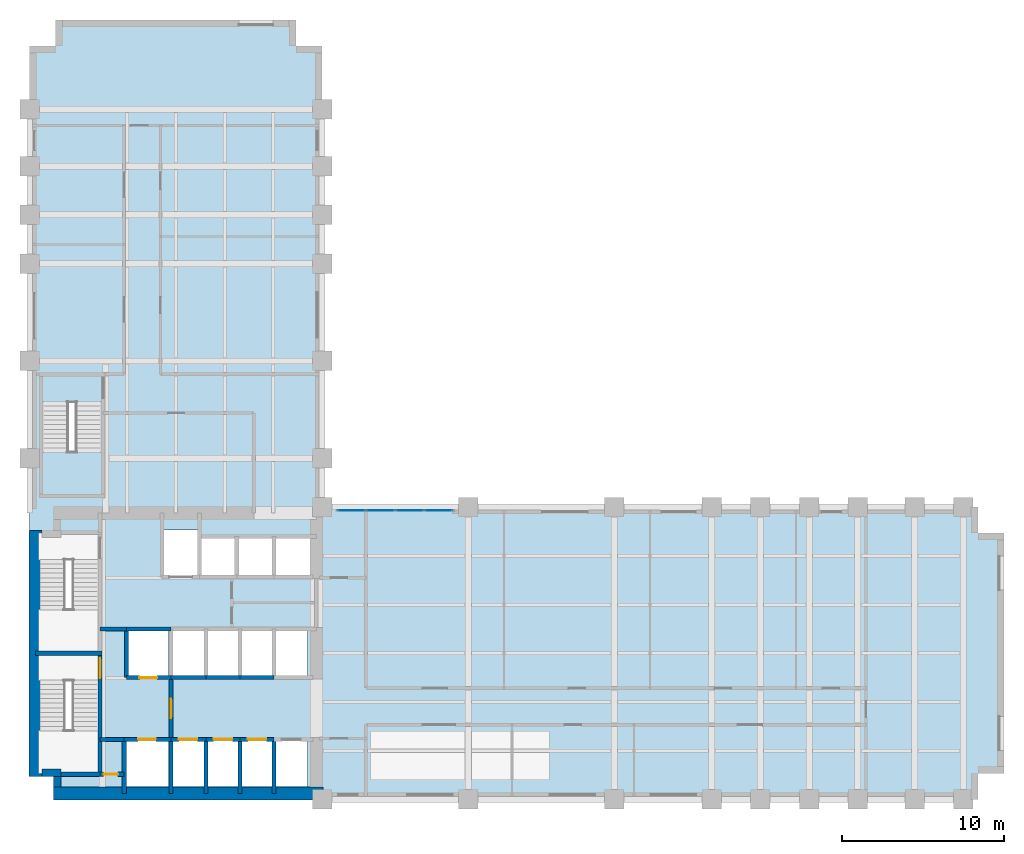
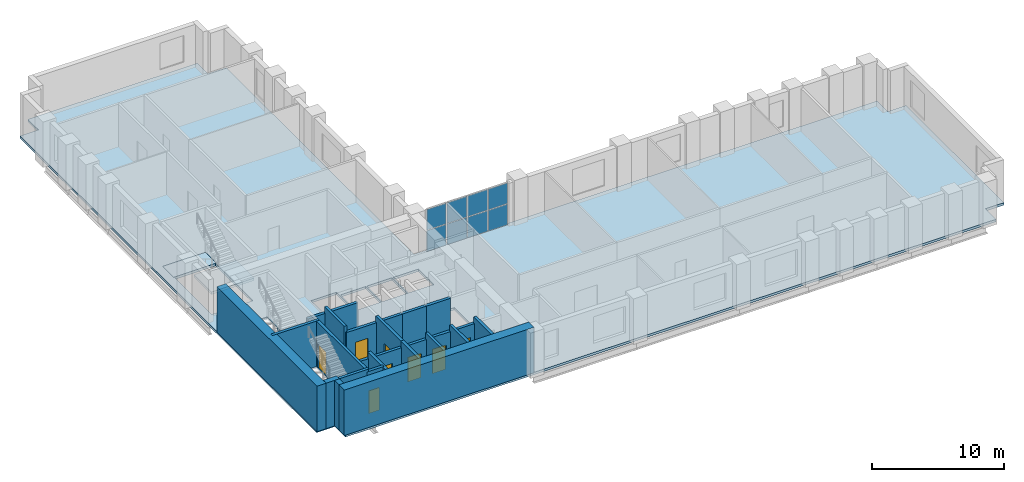
# One storey, part 4 of 8: 26 walls, 8 doors, 8 plates, 3 slabs, 8 openings, 2 elements without a shape of their own.
"""IFC4 building model written with IfcOpenShell, lengths in metres."""

from ifc_helpers import new_model, si_unit, direction, frame, frame_2d, origin, origin_2d, place, context, subcontext, project, spatial, polyline, rectangle, outline, extrude, material, layer, layer_set, type_object, element, fill, aggregate, save


model = new_model("IFC4")

# Units and contexts
model_context = context("Model", 3, precision=1e-05, world=origin(), true_north=direction((0.0, 1.0)))
body_context = subcontext(model_context, "Body", "Model", "MODEL_VIEW")
ifc_project = project(units=[si_unit("LENGTHUNIT", "METRE"), si_unit("AREAUNIT", "SQUARE_METRE"), si_unit("VOLUMEUNIT", "CUBIC_METRE"), si_unit("PLANEANGLEUNIT", "RADIAN"), si_unit("MASSUNIT", "GRAM", prefix="KILO")], contexts=[model_context])

# Site, building, storey
site_placement = place(None, origin())
site = spatial("IfcSite", under=ifc_project, at=site_placement, CompositionType="ELEMENT")
building_placement = place(site_placement, origin())
building = spatial("IfcBuilding", under=site, at=building_placement, Name="Mawjdan Bourse Tower", CompositionType="ELEMENT")
storey_placement = place(building_placement, frame((0.0, 0.0, 76.199951171875)))
storey = spatial("IfcBuildingStorey", under=building, at=storey_placement, Name="L17", CompositionType="ELEMENT", Elevation=76.199951171875)

# Curtain wall, plates
ifc_material_1 = material(Name="Thermally Broken Aluminium and Solar Glass", Category="aluminium")
ifc_layer_1 = layer(ifc_material_1, 0.219970703125)
ifc_layer_set_1 = layer_set([ifc_layer_1], Name="Thermally Broken Aluminium and Solar Glass")
curtain_wall_type = type_object("IfcCurtainWallType", Name="CW-ATR", PredefinedType="USERDEFINED", material=ifc_layer_set_1)
curtain_wall_placement = place(storey_placement, origin())
curtain_wall = element("IfcCurtainWall", 1, at=curtain_wall_placement, inside=storey, type_object=curtain_wall_type, Name="L17 Northeast Atrium Court Curtain Wall", ObjectType="ATRIUM GLAZED CURTAIN WALL", PredefinedType="USERDEFINED")
ifc_material_2 = material(Name="Low-SHGC Clear Atrium Glass", Category="glass")
ifc_layer_2 = layer(ifc_material_2, 0.035888671875)
ifc_layer_set_2 = layer_set([ifc_layer_2], Name="Low-SHGC Clear Atrium Glass")
plate_type = type_object("IfcPlateType", Name="PNL-CW-ATR", PredefinedType="CURTAIN_PANEL", material=ifc_layer_set_2)
plate_1_placement = place(storey_placement, frame((31.1826171875, 20.7900390625, 0.06005859375), z_axis=(0.0, 0.0, 1.0), x_axis=(-1.0, 0.0, 0.0)))
plate_1 = element("IfcPlate", 2, at=plate_1_placement, type_object=plate_type, Name="CW-ATR-L17-ATR-NE panel 1.1", PredefinedType="CURTAIN_PANEL", context=body_context, shape_type="SweptSolid", body=[
    extrude(rectangle(XDim=1.695068359375, YDim=0.035888671875, at=origin_2d()), origin(), (0.0, 0.0, 1.0), 1.89990234375),
])
plate_2_placement = place(storey_placement, frame((31.1826171875, 20.7900390625, 2.02001953125), z_axis=(0.0, 0.0, 1.0), x_axis=(-1.0, 0.0, 0.0)))
plate_2 = element("IfcPlate", 3, at=plate_2_placement, type_object=plate_type, Name="CW-ATR-L17-ATR-NE panel 1.2", PredefinedType="CURTAIN_PANEL", context=body_context, shape_type="SweptSolid", body=[
    extrude(rectangle(XDim=1.695068359375, YDim=0.035888671875, at=origin_2d()), origin(), (0.0, 0.0, 1.0), 1.89990234375),
])
plate_3_placement = place(storey_placement, frame((29.39990234375, 20.7900390625, 0.06005859375), z_axis=(0.0, 0.0, 1.0), x_axis=(-1.0, 0.0, 0.0)))
plate_3 = element("IfcPlate", 4, at=plate_3_placement, type_object=plate_type, Name="CW-ATR-L17-ATR-NE panel 2.1", PredefinedType="CURTAIN_PANEL", context=body_context, shape_type="SweptSolid", body=[
    extrude(rectangle(XDim=1.72998046875, YDim=0.035888671875, at=origin_2d()), origin(), (0.0, 0.0, 1.0), 1.89990234375),
])
plate_4_placement = place(storey_placement, frame((29.39990234375, 20.7900390625, 2.02001953125), z_axis=(0.0, 0.0, 1.0), x_axis=(-1.0, 0.0, 0.0)))
plate_4 = element("IfcPlate", 5, at=plate_4_placement, type_object=plate_type, Name="CW-ATR-L17-ATR-NE panel 2.2", PredefinedType="CURTAIN_PANEL", context=body_context, shape_type="SweptSolid", body=[
    extrude(rectangle(XDim=1.72998046875, YDim=0.035888671875, at=origin_2d()), origin(), (0.0, 0.0, 1.0), 1.89990234375),
])
plate_5_placement = place(storey_placement, frame((27.60009765625, 20.7900390625, 0.06005859375), z_axis=(0.0, 0.0, 1.0), x_axis=(-1.0, 0.0, 0.0)))
plate_5 = element("IfcPlate", 6, at=plate_5_placement, type_object=plate_type, Name="CW-ATR-L17-ATR-NE panel 3.1", PredefinedType="CURTAIN_PANEL", context=body_context, shape_type="SweptSolid", body=[
    extrude(rectangle(XDim=1.72998046875, YDim=0.035888671875, at=origin_2d()), origin(), (0.0, 0.0, 1.0), 1.89990234375),
])
plate_6_placement = place(storey_placement, frame((27.60009765625, 20.7900390625, 2.02001953125), z_axis=(0.0, 0.0, 1.0), x_axis=(-1.0, 0.0, 0.0)))
plate_6 = element("IfcPlate", 7, at=plate_6_placement, type_object=plate_type, Name="CW-ATR-L17-ATR-NE panel 3.2", PredefinedType="CURTAIN_PANEL", context=body_context, shape_type="SweptSolid", body=[
    extrude(rectangle(XDim=1.72998046875, YDim=0.035888671875, at=origin_2d()), origin(), (0.0, 0.0, 1.0), 1.89990234375),
])
plate_7_placement = place(storey_placement, frame((25.8173828125, 20.7900390625, 0.06005859375), z_axis=(0.0, 0.0, 1.0), x_axis=(-1.0, 0.0, 0.0)))
plate_7 = element("IfcPlate", 8, at=plate_7_placement, type_object=plate_type, Name="CW-ATR-L17-ATR-NE panel 4.1", PredefinedType="CURTAIN_PANEL", context=body_context, shape_type="SweptSolid", body=[
    extrude(rectangle(XDim=1.695068359375, YDim=0.035888671875, at=origin_2d()), origin(), (0.0, 0.0, 1.0), 1.89990234375),
])
plate_8_placement = place(storey_placement, frame((25.8173828125, 20.7900390625, 2.02001953125), z_axis=(0.0, 0.0, 1.0), x_axis=(-1.0, 0.0, 0.0)))
plate_8 = element("IfcPlate", 9, at=plate_8_placement, type_object=plate_type, Name="CW-ATR-L17-ATR-NE panel 4.2", PredefinedType="CURTAIN_PANEL", context=body_context, shape_type="SweptSolid", body=[
    extrude(rectangle(XDim=1.695068359375, YDim=0.035888671875, at=origin_2d()), origin(), (0.0, 0.0, 1.0), 1.89990234375),
])
aggregate(curtain_wall, [plate_1, plate_2, plate_3, plate_4, plate_5, plate_6, plate_7, plate_8])

# Stair, slabs
ifc_material_3 = material(Name="Concrete C50/60", Category="concrete")
stair_type = type_object("IfcStairType", Name="STR-CORE-1500", PredefinedType="HALF_TURN_STAIR", material=ifc_material_3)
stair_placement = place(storey_placement, origin())
stair = element("IfcStair", 10, at=stair_placement, inside=storey, type_object=stair_type, Name="L17 Exit Stair 3 (North Wing)", PredefinedType="HALF_TURN_STAIR")
ifc_layer_3 = layer(ifc_material_3, 0.22998046875)
ifc_layer_set_3 = layer_set([ifc_layer_3], Name="Concrete C50/60")
slab_type_1 = type_object("IfcSlabType", Name="SL-LND-230", PredefinedType="LANDING", material=ifc_layer_set_3)
slab_1_placement = place(storey_placement, frame((0.0, 0.0, -0.22998046875)))
slab_1 = element("IfcSlab", 11, at=slab_1_placement, type_object=slab_type_1, Name="ST3-L17 landing 1", PredefinedType="LANDING", context=body_context, shape_type="SweptSolid", body=[
    extrude(outline(polyline([(6.739990234375, 27.4599609375), (10.4599609375, 27.4599609375), (10.4599609375, 29.1201171875), (6.739990234375, 29.1201171875), (6.739990234375, 27.4599609375)])), origin(), (0.0, 0.0, 1.0), 0.22998046875),
])
slab_2_placement = place(storey_placement, frame((0.0, 0.0, 1.8701171875)))
slab_2 = element("IfcSlab", 12, at=slab_2_placement, type_object=slab_type_1, Name="ST3-L17 landing 2", PredefinedType="LANDING", context=body_context, shape_type="SweptSolid", body=[
    extrude(outline(polyline([(6.739990234375, 21.739990234375), (10.4599609375, 21.739990234375), (10.4599609375, 24.405029296875), (6.739990234375, 24.405029296875), (6.739990234375, 21.739990234375)])), origin(), (0.0, 0.0, 1.0), 0.22998046875),
])
aggregate(stair, [slab_1, slab_2])

# Slab
ifc_layer_4 = layer(ifc_material_3, 0.219970703125)
ifc_layer_set_4 = layer_set([ifc_layer_4], Name="Concrete C50/60")
slab_type_2 = type_object("IfcSlabType", Name="SL-TRD-220", PredefinedType="FLOOR", material=ifc_layer_set_4)
slab_3_placement = place(storey_placement, frame((0.0, 0.0, -0.219970703125)))
element("IfcSlab", 13, at=slab_3_placement, inside=storey, type_object=slab_type_2, Name="L17 Structural Floor Slab 1", PredefinedType="FLOOR", context=body_context, shape_type="SweptSolid", body=[
    extrude(outline(polyline([(7.60009765625, 3.0), (64.39990234375, 3.0), (64.39990234375, 4.60009765625), (66.0, 4.60009765625), (66.0, 19.39990234375), (64.39990234375, 19.39990234375), (64.39990234375, 21.0), (24.0, 21.0), (24.0, 49.39990234375), (22.39990234375, 49.39990234375), (22.39990234375, 51.0), (7.60009765625, 51.0), (7.60009765625, 49.39990234375), (6.0, 49.39990234375), (6.0, 4.60009765625), (7.60009765625, 4.60009765625), (7.60009765625, 3.0)]), holes=[polyline([(11.949951171875, 3.800048828125), (11.949951171875, 6.60009765625), (14.550048828125, 6.60009765625), (14.550048828125, 3.800048828125), (11.949951171875, 3.800048828125)]), polyline([(14.800048828125, 3.800048828125), (14.800048828125, 6.60009765625), (16.800048828125, 6.60009765625), (16.800048828125, 3.800048828125), (14.800048828125, 3.800048828125)]), polyline([(10.260009765625, 11.969970703125), (10.260009765625, 10.31005859375), (10.199951171875, 10.31005859375), (10.199951171875, 4.64990234375), (6.60009765625, 4.64990234375), (6.60009765625, 10.31005859375), (6.5400390625, 10.31005859375), (6.5400390625, 11.969970703125), (10.260009765625, 11.969970703125)]), polyline([(12.050048828125, 13.39990234375), (14.550048828125, 13.39990234375), (14.550048828125, 10.60009765625), (12.050048828125, 10.60009765625), (12.050048828125, 13.39990234375)]), polyline([(6.60009765625, 17.75), (6.5400390625, 17.75), (6.5400390625, 19.409912109375), (10.260009765625, 19.409912109375), (10.260009765625, 17.75), (10.199951171875, 17.75), (10.199951171875, 12.090087890625), (6.60009765625, 12.090087890625), (6.60009765625, 17.75)]), polyline([(14.199951171875, 16.800048828125), (14.199951171875, 19.60009765625), (16.39990234375, 19.60009765625), (16.39990234375, 16.800048828125), (14.199951171875, 16.800048828125)]), polyline([(10.4599609375, 27.4599609375), (10.39990234375, 27.4599609375), (10.39990234375, 21.800048828125), (6.800048828125, 21.800048828125), (6.800048828125, 27.4599609375), (6.739990234375, 27.4599609375), (6.739990234375, 29.1201171875), (10.4599609375, 29.1201171875), (10.4599609375, 27.4599609375)]), polyline([(16.89990234375, 3.800048828125), (16.89990234375, 6.60009765625), (18.89990234375, 6.60009765625), (18.89990234375, 3.800048828125), (16.89990234375, 3.800048828125)]), polyline([(19.0, 3.800048828125), (19.0, 6.60009765625), (21.0, 6.60009765625), (21.0, 3.800048828125), (19.0, 3.800048828125)]), polyline([(21.10009765625, 3.800048828125), (21.10009765625, 6.60009765625), (23.10009765625, 6.60009765625), (23.10009765625, 3.800048828125), (21.10009765625, 3.800048828125)]), polyline([(14.800048828125, 13.39990234375), (16.800048828125, 13.39990234375), (16.800048828125, 10.60009765625), (14.800048828125, 10.60009765625), (14.800048828125, 13.39990234375)]), polyline([(16.89990234375, 13.39990234375), (18.89990234375, 13.39990234375), (18.89990234375, 10.60009765625), (16.89990234375, 10.60009765625), (16.89990234375, 13.39990234375)]), polyline([(19.0, 10.60009765625), (19.0, 13.39990234375), (21.0, 13.39990234375), (21.0, 10.60009765625), (19.0, 10.60009765625)]), polyline([(21.10009765625, 10.60009765625), (21.10009765625, 13.39990234375), (23.10009765625, 13.39990234375), (23.10009765625, 10.60009765625), (21.10009765625, 10.60009765625)]), polyline([(16.5, 16.800048828125), (16.5, 19.14990234375), (18.699951171875, 19.14990234375), (18.699951171875, 16.800048828125), (16.5, 16.800048828125)]), polyline([(18.800048828125, 19.14990234375), (21.0, 19.14990234375), (21.0, 16.800048828125), (18.800048828125, 16.800048828125), (18.800048828125, 19.14990234375)]), polyline([(21.10009765625, 19.14990234375), (23.300048828125, 19.14990234375), (23.300048828125, 16.800048828125), (21.10009765625, 16.800048828125), (21.10009765625, 19.14990234375)])]), origin(), (0.0, 0.0, 1.0), 0.219970703125),
])

# Walls
ifc_material_4 = material(Name="Concrete C60/75", Category="concrete")
ifc_layer_5 = layer(ifc_material_4, 0.449951171875)
ifc_layer_set_5 = layer_set([ifc_layer_5], Name="Concrete C60/75")
wall_type_1 = type_object("IfcWallType", Name="WL-CORE-450", PredefinedType="SHEAR", material=ifc_layer_set_5)
wall_1_placement = place(storey_placement, frame((6.75, 4.64990234375, 0.0), z_axis=(0.0, 0.0, 1.0), x_axis=(1.0, 0.0, 0.0)))
element("IfcWall", 14, at=wall_1_placement, inside=storey, type_object=wall_type_1, Name="L17 Rear Core Shear Wall SW-X", PredefinedType="SHEAR", context=body_context, shape_type="SweptSolid", body=[
    extrude(rectangle(XDim=1.175048828125, YDim=0.449951171875, at=frame_2d((0.58740234375, 0.0))), origin(), (0.0, 0.0, 1.0), 4.199951171875),
])
wall_2_placement = place(storey_placement, frame((7.699951171875, 3.75, 0.0), z_axis=(0.0, 0.0, 1.0), x_axis=(0.0, 1.0, 0.0)))
element("IfcWall", 15, at=wall_2_placement, inside=storey, type_object=wall_type_1, Name="L17 Rear Core Shear Wall SW-Y", PredefinedType="SHEAR", context=body_context, shape_type="SweptSolid", body=[
    extrude(rectangle(XDim=0.675048828125, YDim=0.449951171875, at=frame_2d((0.33740234375, 0.0))), origin(), (0.0, 0.0, 1.0), 4.199951171875),
])
ifc_material_5 = material(Name="Concrete C80/95", Category="concrete")
ifc_layer_6 = layer(ifc_material_5, 0.800048828125)
ifc_layer_set_6 = layer_set([ifc_layer_6], Name="Concrete C80/95")
wall_type_2 = type_object("IfcWallType", Name="WL-CORE-800", PredefinedType="SHEAR", material=ifc_layer_set_6)
wall_3_placement = place(storey_placement, frame((7.47509765625, 3.35009765625, 0.0), z_axis=(0.0, 0.0, 1.0), x_axis=(1.0, 0.0, 0.0)))
element("IfcWall", 16, at=wall_3_placement, inside=storey, type_object=wall_type_2, Name="L17 Rear Core Shear Wall S", PredefinedType="SHEAR", context=body_context, shape_type="SweptSolid", body=[
    extrude(rectangle(XDim=16.574951171875, YDim=0.800048828125, at=frame_2d((8.28759765625, 0.0))), origin(), (0.0, 0.0, 1.0), 4.199951171875),
])
wall_4_placement = place(storey_placement, frame((6.35009765625, 4.425048828125, 0.0), z_axis=(0.0, 0.0, 1.0), x_axis=(0.0, 1.0, 0.0)))
element("IfcWall", 17, at=wall_4_placement, inside=storey, type_object=wall_type_2, Name="L17 Rear Core Shear Wall W", PredefinedType="SHEAR", context=body_context, shape_type="SweptSolid", body=[
    extrude(rectangle(XDim=15.14990234375, YDim=0.800048828125, at=frame_2d((7.574951171875, 0.0))), origin(), (0.0, 0.0, 1.0), 4.199951171875),
])

# Wall, opening, door
ifc_layer_7 = layer(ifc_material_3, 0.25)
ifc_layer_set_7 = layer_set([ifc_layer_7], Name="Concrete C50/60")
wall_type_3 = type_object("IfcWallType", Name="WL-SHFT-250", PredefinedType="PARTITIONING", material=ifc_layer_set_7)
wall_5_placement = place(storey_placement, frame((10.330078125, 4.550048828125, 0.0), z_axis=(0.0, 0.0, 1.0), x_axis=(1.0, 0.0, 0.0)))
wall_5 = element("IfcWall", 18, at=wall_5_placement, inside=storey, type_object=wall_type_3, Name="L17 SW Riser North Wall", PredefinedType="PARTITIONING", context=body_context, shape_type="SweptSolid", body=[
    extrude(rectangle(XDim=1.489990234375, YDim=0.25, at=frame_2d((0.7451171875, 0.0))), origin(), (0.0, 0.0, 1.0), 3.969970703125),
])
opening_1_placement = place(wall_5_placement, frame((0.219970703125, 0.0, 0.0)))
opening_1 = element("IfcOpeningElement", 19, at=opening_1_placement, cuts=wall_5, Name="Opening RD-L17-03", PredefinedType="OPENING", context=body_context, shape_type="SweptSolid", body=[
    extrude(rectangle(XDim=0.89990234375, YDim=2.10009765625, at=frame_2d((0.449951171875, 1.050048828125))), frame((0.0, 0.135009765625, 0.0), z_axis=(0.0, -1.0, 0.0), x_axis=(1.0, 0.0, 0.0)), (0.0, 0.0, 1.0), 0.27001953125),
])
ifc_material_6 = material(Name="Fire-Rated Steel Access Leaf", Category="steel")
door_type_1 = type_object("IfcDoorType", Name="FD-RSR-0900", OperationType="NOTDEFINED", PredefinedType="TRAPDOOR", material=ifc_material_6)
door_1_placement = place(opening_1_placement, origin())
door_1 = element("IfcDoor", 20, at=door_1_placement, inside=storey, type_object=door_type_1, Name="L17 Electrical Riser Access Door RD-L17-03", OperationType="SINGLE_SWING_RIGHT", OverallHeight=2.10009765625, OverallWidth=0.89990234375, PredefinedType="TRAPDOOR", context=body_context, shape_type="SweptSolid", body=[
    extrude(rectangle(XDim=0.89990234375, YDim=2.10009765625, at=frame_2d((0.449951171875, 1.050048828125))), frame((0.0, 0.02490234375, 0.0), z_axis=(0.0, -1.0, 0.0), x_axis=(1.0, 0.0, 0.0)), (0.0, 0.0, 1.0), 0.050048828125),
])
fill(opening_1, door_1)

# Wall
wall_6_placement = place(storey_placement, frame((11.820068359375, 3.35009765625, 0.0), z_axis=(0.0, 0.0, 1.0), x_axis=(0.0, 1.0, 0.0)))
element("IfcWall", 21, at=wall_6_placement, inside=storey, type_object=wall_type_3, Name="L17 SW Riser & FFL01 West Wall", PredefinedType="PARTITIONING", context=body_context, shape_type="SweptSolid", body=[
    extrude(rectangle(XDim=3.349853515625, YDim=0.25, at=frame_2d((1.6748046875, 0.0))), origin(), (0.0, 0.0, 1.0), 3.969970703125),
])

# Wall, opening, door
wall_7_placement = place(storey_placement, frame((11.820068359375, 6.699951171875, 0.0), z_axis=(0.0, 0.0, 1.0), x_axis=(1.0, 0.0, 0.0)))
wall_7 = element("IfcWall", 22, at=wall_7_placement, inside=storey, type_object=wall_type_3, Name="L17 FFL-01 Front Shaft Wall", PredefinedType="PARTITIONING", context=body_context, shape_type="SweptSolid", body=[
    extrude(rectangle(XDim=2.8798828125, YDim=0.25, at=frame_2d((1.43994140625, 0.0))), origin(), (0.0, 0.0, 1.0), 3.426025390625),
])
opening_2_placement = place(wall_7_placement, frame((0.85009765625, 0.0, 0.0)))
opening_2 = element("IfcOpeningElement", 23, at=opening_2_placement, cuts=wall_7, Name="Opening LD-L17-05", PredefinedType="OPENING", context=body_context, shape_type="SweptSolid", body=[
    extrude(rectangle(XDim=1.10009765625, YDim=2.25, at=frame_2d((0.550048828125, 1.125))), frame((0.0, 0.135009765625, 0.0), z_axis=(0.0, -1.0, 0.0), x_axis=(1.0, 0.0, 0.0)), (0.0, 0.0, 1.0), 0.27001953125),
])
ifc_material_7 = material(Name="Brushed Stainless Steel", Category="steel")
door_type_2 = type_object("IfcDoorType", Name="LD-FFL-1100", OperationType="DOUBLE_DOOR_SLIDING", PredefinedType="DOOR", material=ifc_material_7)
door_2_placement = place(opening_2_placement, origin())
door_2 = element("IfcDoor", 24, at=door_2_placement, inside=storey, type_object=door_type_2, Name="L17 Firefighting Lift FFL-01 Landing Door LD-L17-05", OperationType="DOUBLE_DOOR_SLIDING", OverallHeight=2.25, OverallWidth=1.10009765625, PredefinedType="DOOR", context=body_context, shape_type="SweptSolid", body=[
    extrude(rectangle(XDim=1.10009765625, YDim=2.25, at=frame_2d((0.550048828125, 1.125))), frame((0.0, 0.02490234375, 0.0), z_axis=(0.0, -1.0, 0.0), x_axis=(1.0, 0.0, 0.0)), (0.0, 0.0, 1.0), 0.050048828125),
])
fill(opening_2, door_2)

# Wall
wall_8_placement = place(storey_placement, frame((14.699951171875, 3.35009765625, 0.0), z_axis=(0.0, 0.0, 1.0), x_axis=(0.0, 1.0, 0.0)))
element("IfcWall", 25, at=wall_8_placement, inside=storey, type_object=wall_type_3, Name="L17 FFL-01 East Shaft Wall", PredefinedType="PARTITIONING", context=body_context, shape_type="SweptSolid", body=[
    extrude(rectangle(XDim=3.349853515625, YDim=0.25, at=frame_2d((1.6748046875, 0.0))), origin(), (0.0, 0.0, 1.0), 3.969970703125),
])

# Wall, opening, door
wall_9_placement = place(storey_placement, frame((11.949951171875, 10.5, 0.0), z_axis=(0.0, 0.0, 1.0), x_axis=(1.0, 0.0, 0.0)))
wall_9 = element("IfcWall", 26, at=wall_9_placement, inside=storey, type_object=wall_type_3, Name="L17 FFL-02 Front Shaft Wall", PredefinedType="PARTITIONING", context=body_context, shape_type="SweptSolid", body=[
    extrude(rectangle(XDim=2.75, YDim=0.25, at=frame_2d((1.375, 0.0))), origin(), (0.0, 0.0, 1.0), 3.426025390625),
])
opening_3_placement = place(wall_9_placement, frame((0.800048828125, 0.0, 0.0)))
opening_3 = element("IfcOpeningElement", 27, at=opening_3_placement, cuts=wall_9, Name="Opening LD-L17-06", PredefinedType="OPENING", context=body_context, shape_type="SweptSolid", body=[
    extrude(rectangle(XDim=1.10009765625, YDim=2.25, at=frame_2d((0.550048828125, 1.125))), frame((0.0, 0.135009765625, 0.0), z_axis=(0.0, -1.0, 0.0), x_axis=(1.0, 0.0, 0.0)), (0.0, 0.0, 1.0), 0.27001953125),
])
door_3_placement = place(opening_3_placement, origin())
door_3 = element("IfcDoor", 28, at=door_3_placement, inside=storey, type_object=door_type_2, Name="L17 Firefighting Lift FFL-02 Landing Door LD-L17-06", OperationType="DOUBLE_DOOR_SLIDING", OverallHeight=2.25, OverallWidth=1.10009765625, PredefinedType="DOOR", context=body_context, shape_type="SweptSolid", body=[
    extrude(rectangle(XDim=1.10009765625, YDim=2.25, at=frame_2d((0.550048828125, 1.125))), frame((0.0, 0.02490234375, 0.0), z_axis=(0.0, -1.0, 0.0), x_axis=(1.0, 0.0, 0.0)), (0.0, 0.0, 1.0), 0.050048828125),
])
fill(opening_3, door_3)

# Walls
wall_10_placement = place(storey_placement, frame((11.949951171875, 10.5, 0.0), z_axis=(0.0, 0.0, 1.0), x_axis=(0.0, 1.0, 0.0)))
element("IfcWall", 29, at=wall_10_placement, inside=storey, type_object=wall_type_3, Name="L17 FFL-02 West Shaft Wall", PredefinedType="PARTITIONING", context=body_context, shape_type="SweptSolid", body=[
    extrude(rectangle(XDim=3.0, YDim=0.25, at=frame_2d((1.5, 0.0))), origin(), (0.0, 0.0, 1.0), 3.969970703125),
])
wall_11_placement = place(storey_placement, frame((11.949951171875, 13.5, 0.0), z_axis=(0.0, 0.0, 1.0), x_axis=(1.0, 0.0, 0.0)))
element("IfcWall", 30, at=wall_11_placement, inside=storey, type_object=wall_type_3, Name="L17 FFL-02 North Shaft Wall", PredefinedType="PARTITIONING", context=body_context, shape_type="SweptSolid", body=[
    extrude(rectangle(XDim=2.75, YDim=0.25, at=frame_2d((1.375, 0.0))), origin(), (0.0, 0.0, 1.0), 3.426025390625),
])

# Wall, opening, door
wall_12_placement = place(storey_placement, frame((14.699951171875, 6.699951171875, 0.0), z_axis=(0.0, 0.0, 1.0), x_axis=(0.0, 1.0, 0.0)))
wall_12 = element("IfcWall", 31, at=wall_12_placement, inside=storey, type_object=wall_type_3, Name="L17 Firefighting Lobby East Compartment Wall", PredefinedType="PARTITIONING", context=body_context, shape_type="SweptSolid", body=[
    extrude(rectangle(XDim=3.800048828125, YDim=0.25, at=frame_2d((1.89990234375, 0.0))), origin(), (0.0, 0.0, 1.0), 3.969970703125),
])
opening_4_placement = place(wall_12_placement, frame((1.300048828125, 0.0, 0.0)))
opening_4 = element("IfcOpeningElement", 32, at=opening_4_placement, cuts=wall_12, Name="Opening FD-L17-07", PredefinedType="OPENING", context=body_context, shape_type="SweptSolid", body=[
    extrude(rectangle(XDim=1.199951171875, YDim=2.199951171875, at=frame_2d((0.60009765625, 1.10009765625))), frame((0.0, 0.135009765625, 0.0), z_axis=(0.0, -1.0, 0.0), x_axis=(1.0, 0.0, 0.0)), (0.0, 0.0, 1.0), 0.27001953125),
])
ifc_material_8 = material(Name="Fire-Rated Steel Leaf", Category="steel")
door_type_3 = type_object("IfcDoorType", Name="FD-FFL-1200", OperationType="NOTDEFINED", PredefinedType="DOOR", material=ifc_material_8)
door_4_placement = place(opening_4_placement, origin())
door_4 = element("IfcDoor", 33, at=door_4_placement, inside=storey, type_object=door_type_3, Name="L17 Firefighting Lobby East Smoke Door FD-L17-07", OperationType="SINGLE_SWING_RIGHT", OverallHeight=2.199951171875, OverallWidth=1.199951171875, PredefinedType="DOOR", context=body_context, shape_type="SweptSolid", body=[
    extrude(rectangle(XDim=1.199951171875, YDim=2.199951171875, at=frame_2d((0.60009765625, 1.10009765625))), frame((0.0, 0.02490234375, 0.0), z_axis=(0.0, -1.0, 0.0), x_axis=(1.0, 0.0, 0.0)), (0.0, 0.0, 1.0), 0.050048828125),
])
fill(opening_4, door_4)

# Walls
wall_13_placement = place(storey_placement, frame((10.330078125, 13.5, 0.0), z_axis=(0.0, 0.0, 1.0), x_axis=(1.0, 0.0, 0.0)))
element("IfcWall", 34, at=wall_13_placement, inside=storey, type_object=wall_type_3, Name="L17 Firefighting Lobby North Compartment Wall", PredefinedType="PARTITIONING", context=body_context, shape_type="SweptSolid", body=[
    extrude(rectangle(XDim=1.619873046875, YDim=0.25, at=frame_2d((0.81005859375, 0.0))), origin(), (0.0, 0.0, 1.0), 3.426025390625),
])
wall_14_placement = place(storey_placement, frame((10.330078125, 6.699951171875, 0.0), z_axis=(0.0, 0.0, 1.0), x_axis=(1.0, 0.0, 0.0)))
element("IfcWall", 35, at=wall_14_placement, inside=storey, type_object=wall_type_3, Name="L17 Firefighting Lobby South Closure Wall", PredefinedType="PARTITIONING", context=body_context, shape_type="SweptSolid", body=[
    extrude(rectangle(XDim=1.489990234375, YDim=0.25, at=frame_2d((0.7451171875, 0.0))), origin(), (0.0, 0.0, 1.0), 3.426025390625),
])

# Wall, opening, door
wall_15_placement = place(storey_placement, frame((14.699951171875, 6.699951171875, 0.0), z_axis=(0.0, 0.0, 1.0), x_axis=(1.0, 0.0, 0.0)))
wall_15 = element("IfcWall", 36, at=wall_15_placement, inside=storey, type_object=wall_type_3, Name="L17 PL-04 Front Wall", PredefinedType="PARTITIONING", context=body_context, shape_type="SweptSolid", body=[
    extrude(rectangle(XDim=2.150146484375, YDim=0.25, at=frame_2d((1.0751953125, 0.0))), origin(), (0.0, 0.0, 1.0), 3.426025390625),
])
opening_5_placement = place(wall_15_placement, frame((0.47998046875, 0.0, 0.0)))
opening_5 = element("IfcOpeningElement", 37, at=opening_5_placement, cuts=wall_15, Name="Opening LD-L17-10", PredefinedType="OPENING", context=body_context, shape_type="SweptSolid", body=[
    extrude(rectangle(XDim=1.14990234375, YDim=2.25, at=frame_2d((0.574951171875, 1.125))), frame((0.0, 0.135009765625, 0.0), z_axis=(0.0, -1.0, 0.0), x_axis=(1.0, 0.0, 0.0)), (0.0, 0.0, 1.0), 0.27001953125),
])
door_type_4 = type_object("IfcDoorType", Name="LD-PAS-1150", OperationType="DOUBLE_DOOR_SLIDING", PredefinedType="DOOR", material=ifc_material_7)
door_5_placement = place(opening_5_placement, origin())
door_5 = element("IfcDoor", 38, at=door_5_placement, inside=storey, type_object=door_type_4, Name="L17 Lift PL-04 Landing Door LD-L17-10", OperationType="DOUBLE_DOOR_SLIDING", OverallHeight=2.25, OverallWidth=1.14990234375, PredefinedType="DOOR", context=body_context, shape_type="SweptSolid", body=[
    extrude(rectangle(XDim=1.14990234375, YDim=2.25, at=frame_2d((0.574951171875, 1.125))), frame((0.0, 0.02490234375, 0.0), z_axis=(0.0, -1.0, 0.0), x_axis=(1.0, 0.0, 0.0)), (0.0, 0.0, 1.0), 0.050048828125),
])
fill(opening_5, door_5)

# Wall
wall_16_placement = place(storey_placement, frame((16.85009765625, 3.35009765625, 0.0), z_axis=(0.0, 0.0, 1.0), x_axis=(0.0, 1.0, 0.0)))
element("IfcWall", 39, at=wall_16_placement, inside=storey, type_object=wall_type_3, Name="L17 PL-04 Divider Wall", PredefinedType="PARTITIONING", context=body_context, shape_type="SweptSolid", body=[
    extrude(rectangle(XDim=3.349853515625, YDim=0.25, at=frame_2d((1.6748046875, 0.0))), origin(), (0.0, 0.0, 1.0), 3.969970703125),
])

# Wall, opening, door
wall_17_placement = place(storey_placement, frame((16.85009765625, 6.699951171875, 0.0), z_axis=(0.0, 0.0, 1.0), x_axis=(1.0, 0.0, 0.0)))
wall_17 = element("IfcWall", 40, at=wall_17_placement, inside=storey, type_object=wall_type_3, Name="L17 PL-01 Front Wall", PredefinedType="PARTITIONING", context=body_context, shape_type="SweptSolid", body=[
    extrude(rectangle(XDim=2.099853515625, YDim=0.25, at=frame_2d((1.0498046875, 0.0))), origin(), (0.0, 0.0, 1.0), 3.426025390625),
])
opening_6_placement = place(wall_17_placement, frame((0.47998046875, 0.0, 0.0)))
opening_6 = element("IfcOpeningElement", 41, at=opening_6_placement, cuts=wall_17, Name="Opening LD-L17-11", PredefinedType="OPENING", context=body_context, shape_type="SweptSolid", body=[
    extrude(rectangle(XDim=1.14990234375, YDim=2.25, at=frame_2d((0.574951171875, 1.125))), frame((0.0, 0.135009765625, 0.0), z_axis=(0.0, -1.0, 0.0), x_axis=(1.0, 0.0, 0.0)), (0.0, 0.0, 1.0), 0.27001953125),
])
door_6_placement = place(opening_6_placement, origin())
door_6 = element("IfcDoor", 42, at=door_6_placement, inside=storey, type_object=door_type_4, Name="L17 Lift PL-01 Landing Door LD-L17-11", OperationType="DOUBLE_DOOR_SLIDING", OverallHeight=2.25, OverallWidth=1.14990234375, PredefinedType="DOOR", context=body_context, shape_type="SweptSolid", body=[
    extrude(rectangle(XDim=1.14990234375, YDim=2.25, at=frame_2d((0.574951171875, 1.125))), frame((0.0, 0.02490234375, 0.0), z_axis=(0.0, -1.0, 0.0), x_axis=(1.0, 0.0, 0.0)), (0.0, 0.0, 1.0), 0.050048828125),
])
fill(opening_6, door_6)

# Wall
wall_18_placement = place(storey_placement, frame((18.949951171875, 3.35009765625, 0.0), z_axis=(0.0, 0.0, 1.0), x_axis=(0.0, 1.0, 0.0)))
element("IfcWall", 43, at=wall_18_placement, inside=storey, type_object=wall_type_3, Name="L17 PL-01 Divider Wall", PredefinedType="PARTITIONING", context=body_context, shape_type="SweptSolid", body=[
    extrude(rectangle(XDim=3.349853515625, YDim=0.25, at=frame_2d((1.6748046875, 0.0))), origin(), (0.0, 0.0, 1.0), 3.969970703125),
])

# Wall, opening, door
wall_19_placement = place(storey_placement, frame((18.949951171875, 6.699951171875, 0.0), z_axis=(0.0, 0.0, 1.0), x_axis=(1.0, 0.0, 0.0)))
wall_19 = element("IfcWall", 44, at=wall_19_placement, inside=storey, type_object=wall_type_3, Name="L17 PL-02 Front Wall", PredefinedType="PARTITIONING", context=body_context, shape_type="SweptSolid", body=[
    extrude(rectangle(XDim=2.10009765625, YDim=0.25, at=frame_2d((1.050048828125, 0.0))), origin(), (0.0, 0.0, 1.0), 3.426025390625),
])
opening_7_placement = place(wall_19_placement, frame((0.47998046875, 0.0, 0.0)))
opening_7 = element("IfcOpeningElement", 45, at=opening_7_placement, cuts=wall_19, Name="Opening LD-L17-12", PredefinedType="OPENING", context=body_context, shape_type="SweptSolid", body=[
    extrude(rectangle(XDim=1.14990234375, YDim=2.25, at=frame_2d((0.574951171875, 1.125))), frame((0.0, 0.135009765625, 0.0), z_axis=(0.0, -1.0, 0.0), x_axis=(1.0, 0.0, 0.0)), (0.0, 0.0, 1.0), 0.27001953125),
])
door_7_placement = place(opening_7_placement, origin())
door_7 = element("IfcDoor", 46, at=door_7_placement, inside=storey, type_object=door_type_4, Name="L17 Lift PL-02 Landing Door LD-L17-12", OperationType="DOUBLE_DOOR_SLIDING", OverallHeight=2.25, OverallWidth=1.14990234375, PredefinedType="DOOR", context=body_context, shape_type="SweptSolid", body=[
    extrude(rectangle(XDim=1.14990234375, YDim=2.25, at=frame_2d((0.574951171875, 1.125))), frame((0.0, 0.02490234375, 0.0), z_axis=(0.0, -1.0, 0.0), x_axis=(1.0, 0.0, 0.0)), (0.0, 0.0, 1.0), 0.050048828125),
])
fill(opening_7, door_7)

# Walls
wall_20_placement = place(storey_placement, frame((21.050048828125, 3.35009765625, 0.0), z_axis=(0.0, 0.0, 1.0), x_axis=(0.0, 1.0, 0.0)))
element("IfcWall", 47, at=wall_20_placement, inside=storey, type_object=wall_type_3, Name="L17 PL-02 Divider Wall", PredefinedType="PARTITIONING", context=body_context, shape_type="SweptSolid", body=[
    extrude(rectangle(XDim=3.349853515625, YDim=0.25, at=frame_2d((1.6748046875, 0.0))), origin(), (0.0, 0.0, 1.0), 3.969970703125),
])
wall_21_placement = place(storey_placement, frame((14.699951171875, 10.5, 0.0), z_axis=(0.0, 0.0, 1.0), x_axis=(1.0, 0.0, 0.0)))
element("IfcWall", 48, at=wall_21_placement, inside=storey, type_object=wall_type_3, Name="L17 PM-01 Front Wall", PredefinedType="PARTITIONING", context=body_context, shape_type="SweptSolid", body=[
    extrude(rectangle(XDim=2.150146484375, YDim=0.25, at=frame_2d((1.0751953125, 0.0))), origin(), (0.0, 0.0, 1.0), 3.426025390625),
])
wall_22_placement = place(storey_placement, frame((16.85009765625, 10.5, 0.0), z_axis=(0.0, 0.0, 1.0), x_axis=(1.0, 0.0, 0.0)))
element("IfcWall", 49, at=wall_22_placement, inside=storey, type_object=wall_type_3, Name="L17 PM-02 Front Wall", PredefinedType="PARTITIONING", context=body_context, shape_type="SweptSolid", body=[
    extrude(rectangle(XDim=2.099853515625, YDim=0.25, at=frame_2d((1.0498046875, 0.0))), origin(), (0.0, 0.0, 1.0), 3.426025390625),
])
wall_23_placement = place(storey_placement, frame((18.949951171875, 10.5, 0.0), z_axis=(0.0, 0.0, 1.0), x_axis=(1.0, 0.0, 0.0)))
element("IfcWall", 50, at=wall_23_placement, inside=storey, type_object=wall_type_3, Name="L17 PM-03 Front Wall", PredefinedType="PARTITIONING", context=body_context, shape_type="SweptSolid", body=[
    extrude(rectangle(XDim=2.10009765625, YDim=0.25, at=frame_2d((1.050048828125, 0.0))), origin(), (0.0, 0.0, 1.0), 3.426025390625),
])
ifc_layer_8 = layer(ifc_material_3, 0.25)
ifc_layer_set_8 = layer_set([ifc_layer_8], Name="Concrete C50/60")
wall_type_4 = type_object("IfcWallType", Name="WL-STRW-250", PredefinedType="SHEAR", material=ifc_layer_set_8)
wall_24_placement = place(storey_placement, frame((6.35009765625, 12.0, 0.0), z_axis=(0.0, 0.0, 1.0), x_axis=(1.0, 0.0, 0.0)))
element("IfcWall", 51, at=wall_24_placement, inside=storey, type_object=wall_type_4, Name="L17 Stairwell Dividing Shaft Wall", PredefinedType="SHEAR", context=body_context, shape_type="SweptSolid", body=[
    extrude(rectangle(XDim=4.10498046875, YDim=0.25, at=frame_2d((2.052490234375, 0.0))), origin(), (0.0, 0.0, 1.0), 4.199951171875),
])
wall_25_placement = place(storey_placement, frame((7.699951171875, 4.550048828125, 0.0), z_axis=(0.0, 0.0, 1.0), x_axis=(1.0, 0.0, 0.0)))
element("IfcWall", 52, at=wall_25_placement, inside=storey, type_object=wall_type_4, Name="L17 Stairwell ST1 South Shaft Wall", PredefinedType="SHEAR", context=body_context, shape_type="SweptSolid", body=[
    extrude(rectangle(XDim=2.755126953125, YDim=0.25, at=frame_2d((1.37744140625, 0.0))), origin(), (0.0, 0.0, 1.0), 4.199951171875),
])

# Wall, opening, door
wall_26_placement = place(storey_placement, frame((10.330078125, 4.550048828125, 0.0), z_axis=(0.0, 0.0, 1.0), x_axis=(0.0, 1.0, 0.0)))
wall_26 = element("IfcWall", 53, at=wall_26_placement, inside=storey, type_object=wall_type_4, Name="L17 Stairwell ST1 East Enclosure Wall", PredefinedType="SHEAR", context=body_context, shape_type="SweptSolid", body=[
    extrude(rectangle(XDim=7.449951171875, YDim=0.25, at=frame_2d((3.72509765625, 0.0))), origin(), (0.0, 0.0, 1.0), 4.199951171875),
])
opening_8_placement = place(wall_26_placement, frame((5.89990234375, 0.0, 0.0)))
opening_8 = element("IfcOpeningElement", 54, at=opening_8_placement, cuts=wall_26, Name="Opening SD-L17-01", PredefinedType="OPENING", context=body_context, shape_type="SweptSolid", body=[
    extrude(rectangle(XDim=1.25, YDim=2.199951171875, at=frame_2d((0.625, 1.10009765625))), frame((0.0, 0.135009765625, 0.0), z_axis=(0.0, -1.0, 0.0), x_axis=(1.0, 0.0, 0.0)), (0.0, 0.0, 1.0), 0.27001953125),
])
door_type_5 = type_object("IfcDoorType", Name="FD-ST-1250", OperationType="NOTDEFINED", PredefinedType="DOOR", material=ifc_material_8)
door_8_placement = place(opening_8_placement, origin())
door_8 = element("IfcDoor", 55, at=door_8_placement, inside=storey, type_object=door_type_5, Name="L17 Exit Stair ST1 Fire Door SD-L17-01", OperationType="SINGLE_SWING_RIGHT", OverallHeight=2.199951171875, OverallWidth=1.25, PredefinedType="DOOR", context=body_context, shape_type="SweptSolid", body=[
    extrude(rectangle(XDim=1.25, YDim=2.199951171875, at=frame_2d((0.625, 1.10009765625))), frame((0.0, 0.02490234375, 0.0), z_axis=(0.0, -1.0, 0.0), x_axis=(1.0, 0.0, 0.0)), (0.0, 0.0, 1.0), 0.050048828125),
])
fill(opening_8, door_8)

save(model, "model.ifc")
